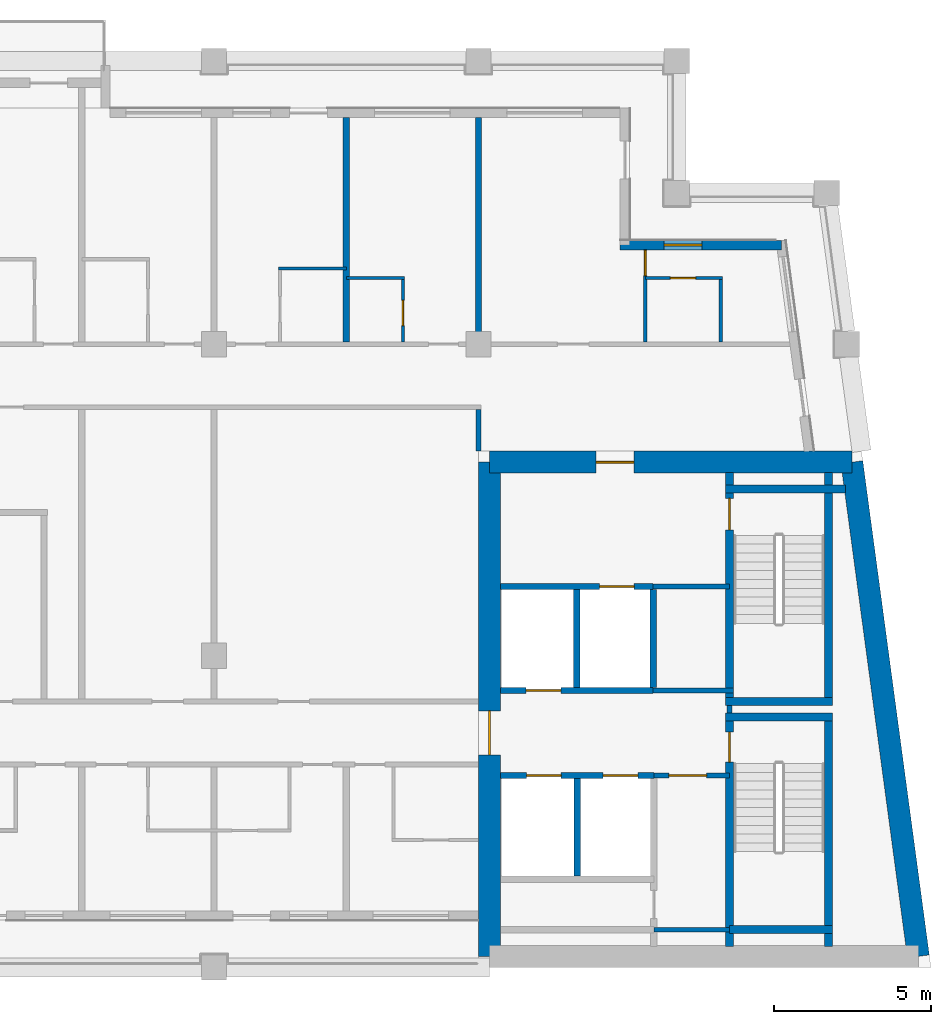
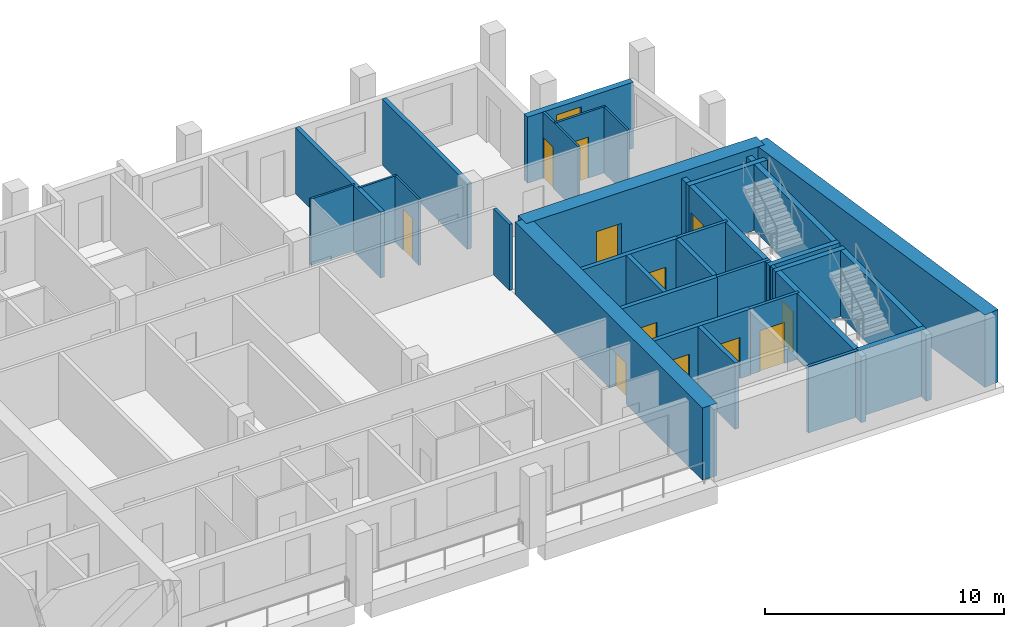
# One storey, part 5 of 9: 32 walls, 12 doors, 1 window, 13 openings.
"""IFC4 building model written with IfcOpenShell, lengths in metres."""

from ifc_helpers import new_model, si_unit, direction, frame, frame_2d, origin, place, context, subcontext, project, spatial, rectangle, extrude, material, layer, layer_set, type_object, element, fill, save


model = new_model("IFC4")

# Units and contexts
model_context = context("Model", 3, precision=1e-05, world=origin(), true_north=direction((0.0, 1.0)))
body_context = subcontext(model_context, "Body", "Model", "MODEL_VIEW")
ifc_project = project(units=[si_unit("LENGTHUNIT", "METRE"), si_unit("AREAUNIT", "SQUARE_METRE"), si_unit("VOLUMEUNIT", "CUBIC_METRE"), si_unit("PLANEANGLEUNIT", "RADIAN"), si_unit("MASSUNIT", "GRAM", prefix="KILO")], contexts=[model_context])

# Site, building, storey
site_placement = place(None, origin())
site = spatial("IfcSite", under=ifc_project, at=site_placement, CompositionType="ELEMENT")
building_placement = place(site_placement, origin())
building = spatial("IfcBuilding", under=site, at=building_placement, Name="Candeia Pilgrim Tower and Theatre", CompositionType="ELEMENT")
storey_placement = place(building_placement, frame((0.0, 0.0, 296.0)))
storey = spatial("IfcBuildingStorey", under=building, at=storey_placement, Name="L72", CompositionType="ELEMENT", Elevation=296.0)

# Wall, opening, door
ifc_material_1 = material(Name="Concrete C40/50", Category="concrete")
ifc_layer_1 = layer(ifc_material_1, 0.699951171875)
ifc_layer_set_1 = layer_set([ifc_layer_1], Name="Core wall 700 C40/50")
wall_type_1 = type_object("IfcWallType", Name="Core wall 700 C40/50", PredefinedType="SHEAR", material=ifc_layer_set_1)
wall_1_placement = place(storey_placement, frame((126.35009765625, 132.050048828125, 0.0), z_axis=(0.0, 0.0, 1.0), x_axis=(1.0, 0.0, 0.0)))
wall_1 = element("IfcWall", 1, at=wall_1_placement, inside=storey, type_object=wall_type_1, Name="Core wall E1", PredefinedType="SHEAR", context=body_context, shape_type="SweptSolid", body=[
    extrude(rectangle(XDim=11.51318359375, YDim=0.699951171875, at=frame_2d((5.756591796875, 0.0))), origin(), (0.0, 0.0, 1.0), 3.699951171875),
])
opening_1_placement = place(wall_1_placement, frame((3.386474609375, 0.0, 0.0)))
opening_1 = element("IfcOpeningElement", 2, at=opening_1_placement, cuts=wall_1, Name="Opening L72-D046", PredefinedType="OPENING", context=body_context, shape_type="SweptSolid", body=[
    extrude(rectangle(XDim=1.199951171875, YDim=2.10009765625, at=frame_2d((0.60009765625, 1.050048828125))), frame((0.0, 0.35986328125, 0.0), z_axis=(0.0, -1.0, 0.0), x_axis=(1.0, 0.0, 0.0)), (0.0, 0.0, 1.0), 0.719970703125),
])
ifc_material_2 = material(Name="Steel fire door set", Category="steel")
door_type_1 = type_object("IfcDoorType", Name="D-1200-FD60", OperationType="NOTDEFINED", PredefinedType="DOOR", material=ifc_material_2)
door_1_placement = place(opening_1_placement, origin())
door_1 = element("IfcDoor", 3, at=door_1_placement, inside=storey, type_object=door_type_1, Name="Door L72-D046", OperationType="SINGLE_SWING_RIGHT", OverallHeight=2.10009765625, OverallWidth=1.199951171875, PredefinedType="DOOR", context=body_context, shape_type="SweptSolid", body=[
    extrude(rectangle(XDim=1.199951171875, YDim=2.10009765625, at=frame_2d((0.60009765625, 1.050048828125))), frame((0.0, 0.02490234375, 0.0), z_axis=(0.0, -1.0, 0.0), x_axis=(1.0, 0.0, 0.0)), (0.0, 0.0, 1.0), 0.050048828125),
])
fill(opening_1, door_1)

# Wall
wall_2_placement = place(storey_placement, frame((137.86328125, 132.050048828125, 0.0), z_axis=(0.0, 0.0, 1.0), x_axis=(0.133401241494, -0.991062111458, 0.0)))
element("IfcWall", 4, at=wall_2_placement, inside=storey, type_object=wall_type_1, Name="Core wall E2", PredefinedType="SHEAR", context=body_context, shape_type="SweptSolid", body=[
    extrude(rectangle(XDim=15.841552734375, YDim=0.699951171875, at=frame_2d((7.9208984375, 0.0))), origin(), (0.0, 0.0, 1.0), 3.699951171875),
])

# Wall, opening, door
wall_3_placement = place(storey_placement, frame((126.35009765625, 116.35009765625, 0.0), z_axis=(0.0, 0.0, 1.0), x_axis=(0.0, 1.0, 0.0)))
wall_3 = element("IfcWall", 5, at=wall_3_placement, inside=storey, type_object=wall_type_1, Name="Core wall E4", PredefinedType="SHEAR", context=body_context, shape_type="SweptSolid", body=[
    extrude(rectangle(XDim=15.699951171875, YDim=0.699951171875, at=frame_2d((7.85009765625, 0.0))), origin(), (0.0, 0.0, 1.0), 3.699951171875),
])
opening_2_placement = place(wall_3_placement, frame((6.39990234375, 0.0, 0.0)))
opening_2 = element("IfcOpeningElement", 6, at=opening_2_placement, cuts=wall_3, Name="Opening L72-D047", PredefinedType="OPENING", context=body_context, shape_type="SweptSolid", body=[
    extrude(rectangle(XDim=1.39990234375, YDim=2.10009765625, at=frame_2d((0.699951171875, 1.050048828125))), frame((0.0, 0.35986328125, 0.0), z_axis=(0.0, -1.0, 0.0), x_axis=(1.0, 0.0, 0.0)), (0.0, 0.0, 1.0), 0.719970703125),
])
door_type_2 = type_object("IfcDoorType", Name="D-1400-FD60", OperationType="NOTDEFINED", PredefinedType="DOOR", material=ifc_material_2)
door_2_placement = place(opening_2_placement, origin())
door_2 = element("IfcDoor", 7, at=door_2_placement, inside=storey, type_object=door_type_2, Name="Door L72-D047", OperationType="SINGLE_SWING_LEFT", OverallHeight=2.10009765625, OverallWidth=1.39990234375, PredefinedType="DOOR", context=body_context, shape_type="SweptSolid", body=[
    extrude(rectangle(XDim=1.39990234375, YDim=2.10009765625, at=frame_2d((0.699951171875, 1.050048828125))), frame((0.0, 0.02490234375, 0.0), z_axis=(0.0, -1.0, 0.0), x_axis=(1.0, 0.0, 0.0)), (0.0, 0.0, 1.0), 0.050048828125),
])
fill(opening_2, door_2)

# Wall, opening, window
ifc_material_3 = material(Name="Ceramic block masonry", Category="masonry")
ifc_layer_2 = layer(ifc_material_3, 0.300048828125)
ifc_layer_set_2 = layer_set([ifc_layer_2], Name="EW1 glazing-line wall 300")
wall_type_2 = type_object("IfcWallType", Name="EW1 glazing-line wall 300", PredefinedType="SOLIDWALL", material=ifc_layer_set_2)
wall_4_placement = place(storey_placement, frame((135.62255859375, 138.949951171875, 0.0), z_axis=(0.0, 0.0, 1.0), x_axis=(-1.0, 0.0, 0.0)))
wall_4 = element("IfcWall", 8, at=wall_4_placement, inside=storey, type_object=wall_type_2, Name="External wall L72-3.0", PredefinedType="SOLIDWALL", context=body_context, shape_type="SweptSolid", body=[
    extrude(rectangle(XDim=5.12255859375, YDim=0.300048828125, at=frame_2d((2.561279296875, 0.0))), origin(), (0.0, 0.0, 1.0), 3.3798828125),
])
opening_3_placement = place(wall_4_placement, frame((2.522705078125, 0.0, 0.89990234375)))
opening_3 = element("IfcOpeningElement", 9, at=opening_3_placement, cuts=wall_4, Name="Opening W-B", PredefinedType="OPENING", context=body_context, shape_type="SweptSolid", body=[
    extrude(rectangle(XDim=1.199951171875, YDim=2.10009765625, at=frame_2d((0.60009765625, 1.050048828125))), frame((0.0, 0.16015625, 0.0), z_axis=(0.0, -1.0, 0.0), x_axis=(1.0, 0.0, 0.0)), (0.0, 0.0, 1.0), 0.320068359375),
])
ifc_material_4 = material(Name="Aluminium framed double glazing", Category="aluminium")
window_type = type_object("IfcWindowType", Name="W-B window 1200x2100", PartitioningType="SINGLE_PANEL", PredefinedType="WINDOW", material=ifc_material_4)
window_placement = place(opening_3_placement, origin())
window = element("IfcWindow", 10, at=window_placement, inside=storey, type_object=window_type, Name="Window W-B L72", OverallHeight=2.10009765625, OverallWidth=1.199951171875, PartitioningType="SINGLE_PANEL", PredefinedType="WINDOW", context=body_context, shape_type="SweptSolid", body=[
    extrude(rectangle(XDim=1.199951171875, YDim=2.10009765625, at=frame_2d((0.60009765625, 1.050048828125))), frame((0.0, 0.030029296875, 0.0), z_axis=(0.0, -1.0, 0.0), x_axis=(1.0, 0.0, 0.0)), (0.0, 0.0, 1.0), 0.06005859375),
])
fill(opening_3, window)

# Wall
ifc_material_5 = material(Name="Gypsum board partition on steel studs", Category="steel")
ifc_layer_3 = layer(ifc_material_5, 0.10009765625)
ifc_layer_set_3 = layer_set([ifc_layer_3], Name="PW-100 room partition")
wall_type_3 = type_object("IfcWallType", Name="PW-100 room partition", PredefinedType="PARTITIONING", material=ifc_layer_set_3)
wall_5_placement = place(storey_placement, frame((121.800048828125, 137.89990234375, 0.0), z_axis=(0.0, 0.0, 1.0), x_axis=(1.0, 0.0, 0.0)))
element("IfcWall", 11, at=wall_5_placement, inside=storey, type_object=wall_type_3, Name="Room partition L72-033", PredefinedType="PARTITIONING", context=body_context, shape_type="SweptSolid", body=[
    extrude(rectangle(XDim=1.849853515625, YDim=0.10009765625, at=frame_2d((0.9248046875, 0.0))), origin(), (0.0, 0.0, 1.0), 3.3798828125),
])

# Wall, opening, door
wall_6_placement = place(storey_placement, frame((131.300048828125, 137.89990234375, 0.0), z_axis=(0.0, 0.0, 1.0), x_axis=(1.0, 0.0, 0.0)))
wall_6 = element("IfcWall", 12, at=wall_6_placement, inside=storey, type_object=wall_type_3, Name="Room partition L72-034", PredefinedType="PARTITIONING", context=body_context, shape_type="SweptSolid", body=[
    extrude(rectangle(XDim=2.449951171875, YDim=0.10009765625, at=frame_2d((1.22509765625, 0.0))), origin(), (0.0, 0.0, 1.0), 3.3798828125),
])
opening_4_placement = place(wall_6_placement, frame((0.800048828125, 0.0, 0.0)))
opening_4 = element("IfcOpeningElement", 13, at=opening_4_placement, cuts=wall_6, Name="Opening L72-D037", PredefinedType="OPENING", context=body_context, shape_type="SweptSolid", body=[
    extrude(rectangle(XDim=0.800048828125, YDim=2.10009765625, at=frame_2d((0.39990234375, 1.050048828125))), frame((0.0, 0.06005859375, 0.0), z_axis=(0.0, -1.0, 0.0), x_axis=(1.0, 0.0, 0.0)), (0.0, 0.0, 1.0), 0.1201171875),
])
ifc_material_6 = material(Name="Timber door leaf", Category="wood")
door_type_3 = type_object("IfcDoorType", Name="D-800", OperationType="NOTDEFINED", PredefinedType="DOOR", material=ifc_material_6)
door_3_placement = place(opening_4_placement, origin())
door_3 = element("IfcDoor", 14, at=door_3_placement, inside=storey, type_object=door_type_3, Name="Door L72-D037", OperationType="SINGLE_SWING_LEFT", OverallHeight=2.10009765625, OverallWidth=0.800048828125, PredefinedType="DOOR", context=body_context, shape_type="SweptSolid", body=[
    extrude(rectangle(XDim=0.800048828125, YDim=2.10009765625, at=frame_2d((0.39990234375, 1.050048828125))), frame((0.0, 0.02490234375, 0.0), z_axis=(0.0, -1.0, 0.0), x_axis=(1.0, 0.0, 0.0)), (0.0, 0.0, 1.0), 0.050048828125),
])
fill(opening_4, door_3)

# Wall
wall_7_placement = place(storey_placement, frame((119.64990234375, 138.199951171875, 0.0), z_axis=(0.0, 0.0, 1.0), x_axis=(1.0, 0.0, 0.0)))
element("IfcWall", 15, at=wall_7_placement, inside=storey, type_object=wall_type_3, Name="Room partition L72-037", PredefinedType="PARTITIONING", context=body_context, shape_type="SweptSolid", body=[
    extrude(rectangle(XDim=2.150146484375, YDim=0.10009765625, at=frame_2d((1.0751953125, 0.0))), origin(), (0.0, 0.0, 1.0), 3.3798828125),
])

# Wall, opening, door
wall_8_placement = place(storey_placement, frame((123.60009765625, 135.875, 0.0), z_axis=(0.0, 0.0, 1.0), x_axis=(0.0, 1.0, 0.0)))
wall_8 = element("IfcWall", 16, at=wall_8_placement, inside=storey, type_object=wall_type_3, Name="Room partition L72-078", PredefinedType="PARTITIONING", context=body_context, shape_type="SweptSolid", body=[
    extrude(rectangle(XDim=1.97509765625, YDim=0.10009765625, at=frame_2d((0.987548828125, 0.0))), origin(), (0.0, 0.0, 1.0), 3.3798828125),
])
opening_5_placement = place(wall_8_placement, frame((0.514892578125, 0.0, 0.0)))
opening_5 = element("IfcOpeningElement", 17, at=opening_5_placement, cuts=wall_8, Name="Opening L72-D034", PredefinedType="OPENING", context=body_context, shape_type="SweptSolid", body=[
    extrude(rectangle(XDim=0.800048828125, YDim=2.10009765625, at=frame_2d((0.39990234375, 1.050048828125))), frame((0.0, 0.06005859375, 0.0), z_axis=(0.0, -1.0, 0.0), x_axis=(1.0, 0.0, 0.0)), (0.0, 0.0, 1.0), 0.1201171875),
])
door_4_placement = place(opening_5_placement, origin())
door_4 = element("IfcDoor", 18, at=door_4_placement, inside=storey, type_object=door_type_3, Name="Door L72-D034", OperationType="SINGLE_SWING_RIGHT", OverallHeight=2.10009765625, OverallWidth=0.800048828125, PredefinedType="DOOR", context=body_context, shape_type="SweptSolid", body=[
    extrude(rectangle(XDim=0.800048828125, YDim=2.10009765625, at=frame_2d((0.39990234375, 1.050048828125))), frame((0.0, 0.02490234375, 0.0), z_axis=(0.0, -1.0, 0.0), x_axis=(1.0, 0.0, 0.0)), (0.0, 0.0, 1.0), 0.050048828125),
])
fill(opening_5, door_4)

wall_9_placement = place(storey_placement, frame((131.300048828125, 135.875, 0.0), z_axis=(0.0, 0.0, 1.0), x_axis=(0.0, 1.0, 0.0)))
wall_9 = element("IfcWall", 19, at=wall_9_placement, inside=storey, type_object=wall_type_3, Name="Room partition L72-083", PredefinedType="PARTITIONING", context=body_context, shape_type="SweptSolid", body=[
    extrude(rectangle(XDim=2.93505859375, YDim=0.10009765625, at=frame_2d((1.467529296875, 0.0))), origin(), (0.0, 0.0, 1.0), 3.3798828125),
])
opening_6_placement = place(wall_9_placement, frame((2.10498046875, 0.0, 0.0)))
opening_6 = element("IfcOpeningElement", 20, at=opening_6_placement, cuts=wall_9, Name="Opening L72-D036", PredefinedType="OPENING", context=body_context, shape_type="SweptSolid", body=[
    extrude(rectangle(XDim=0.800048828125, YDim=2.10009765625, at=frame_2d((0.39990234375, 1.050048828125))), frame((0.0, 0.06005859375, 0.0), z_axis=(0.0, -1.0, 0.0), x_axis=(1.0, 0.0, 0.0)), (0.0, 0.0, 1.0), 0.1201171875),
])
door_5_placement = place(opening_6_placement, origin())
door_5 = element("IfcDoor", 21, at=door_5_placement, inside=storey, type_object=door_type_3, Name="Door L72-D036", OperationType="SINGLE_SWING_RIGHT", OverallHeight=2.10009765625, OverallWidth=0.800048828125, PredefinedType="DOOR", context=body_context, shape_type="SweptSolid", body=[
    extrude(rectangle(XDim=0.800048828125, YDim=2.10009765625, at=frame_2d((0.39990234375, 1.050048828125))), frame((0.0, 0.02490234375, 0.0), z_axis=(0.0, -1.0, 0.0), x_axis=(1.0, 0.0, 0.0)), (0.0, 0.0, 1.0), 0.050048828125),
])
fill(opening_6, door_5)

# Walls
wall_10_placement = place(storey_placement, frame((133.699951171875, 135.875, 0.0), z_axis=(0.0, 0.0, 1.0), x_axis=(0.0, 1.0, 0.0)))
element("IfcWall", 22, at=wall_10_placement, inside=storey, type_object=wall_type_3, Name="Room partition L72-086", PredefinedType="PARTITIONING", context=body_context, shape_type="SweptSolid", body=[
    extrude(rectangle(XDim=1.97509765625, YDim=0.10009765625, at=frame_2d((0.987548828125, 0.0))), origin(), (0.0, 0.0, 1.0), 3.3798828125),
])
ifc_layer_4 = layer(ifc_material_5, 0.14990234375)
ifc_layer_set_4 = layer_set([ifc_layer_4], Name="PW-150 lobby wall")
wall_type_4 = type_object("IfcWallType", Name="PW-150 lobby wall", PredefinedType="PARTITIONING", material=ifc_layer_set_4)
wall_11_placement = place(storey_placement, frame((131.572998046875, 117.199951171875, 0.0), z_axis=(0.0, 0.0, 1.0), x_axis=(1.0, 0.0, 0.0)))
element("IfcWall", 23, at=wall_11_placement, inside=storey, type_object=wall_type_4, Name="Lobby wall L72-004", PredefinedType="PARTITIONING", context=body_context, shape_type="SweptSolid", body=[
    extrude(rectangle(XDim=2.39990234375, YDim=0.14990234375, at=frame_2d((1.199951171875, 0.0))), origin(), (0.0, 0.0, 1.0), 3.3798828125),
])

# Wall, opening, door
wall_12_placement = place(storey_placement, frame((131.572998046875, 122.10009765625, 0.0), z_axis=(0.0, 0.0, 1.0), x_axis=(1.0, 0.0, 0.0)))
wall_12 = element("IfcWall", 24, at=wall_12_placement, inside=storey, type_object=wall_type_4, Name="Lobby wall L72-015", PredefinedType="PARTITIONING", context=body_context, shape_type="SweptSolid", body=[
    extrude(rectangle(XDim=2.39990234375, YDim=0.14990234375, at=frame_2d((1.199951171875, 0.0))), origin(), (0.0, 0.0, 1.0), 3.3798828125),
])
opening_7_placement = place(wall_12_placement, frame((0.47509765625, 0.0, 0.0)))
opening_7 = element("IfcOpeningElement", 25, at=opening_7_placement, cuts=wall_12, Name="Opening L72-D005", PredefinedType="OPENING", context=body_context, shape_type="SweptSolid", body=[
    extrude(rectangle(XDim=1.199951171875, YDim=2.10009765625, at=frame_2d((0.60009765625, 1.050048828125))), frame((0.0, 0.0849609375, 0.0), z_axis=(0.0, -1.0, 0.0), x_axis=(1.0, 0.0, 0.0)), (0.0, 0.0, 1.0), 0.169921875),
])
door_6_placement = place(opening_7_placement, origin())
door_6 = element("IfcDoor", 26, at=door_6_placement, inside=storey, type_object=door_type_1, Name="Door L72-D005", OperationType="SINGLE_SWING_LEFT", OverallHeight=2.10009765625, OverallWidth=1.199951171875, PredefinedType="DOOR", context=body_context, shape_type="SweptSolid", body=[
    extrude(rectangle(XDim=1.199951171875, YDim=2.10009765625, at=frame_2d((0.60009765625, 1.050048828125))), frame((0.0, 0.02490234375, 0.0), z_axis=(0.0, -1.0, 0.0), x_axis=(1.0, 0.0, 0.0)), (0.0, 0.0, 1.0), 0.050048828125),
])
fill(opening_7, door_6)

# Walls
wall_13_placement = place(storey_placement, frame((131.548583984375, 124.800048828125, 0.0), z_axis=(0.0, 0.0, 1.0), x_axis=(1.0, 0.0, 0.0)))
element("IfcWall", 27, at=wall_13_placement, inside=storey, type_object=wall_type_4, Name="Lobby wall L72-024", PredefinedType="PARTITIONING", context=body_context, shape_type="SweptSolid", body=[
    extrude(rectangle(XDim=2.54931640625, YDim=0.14990234375, at=frame_2d((1.274658203125, 0.0))), origin(), (0.0, 0.0, 1.0), 3.3798828125),
])
wall_14_placement = place(storey_placement, frame((131.548583984375, 128.10009765625, 0.0), z_axis=(0.0, 0.0, 1.0), x_axis=(1.0, 0.0, 0.0)))
element("IfcWall", 28, at=wall_14_placement, inside=storey, type_object=wall_type_4, Name="Lobby wall L72-027", PredefinedType="PARTITIONING", context=body_context, shape_type="SweptSolid", body=[
    extrude(rectangle(XDim=2.42431640625, YDim=0.14990234375, at=frame_2d((1.212158203125, 0.0))), origin(), (0.0, 0.0, 1.0), 3.3798828125),
])
wall_15_placement = place(storey_placement, frame((133.972900390625, 124.074951171875, 0.0), z_axis=(0.0, 0.0, 1.0), x_axis=(0.0, 1.0, 0.0)))
element("IfcWall", 29, at=wall_15_placement, inside=storey, type_object=wall_type_4, Name="Lobby wall L72-087", PredefinedType="PARTITIONING", context=body_context, shape_type="SweptSolid", body=[
    extrude(rectangle(XDim=0.25, YDim=0.14990234375, at=frame_2d((0.125, 0.0))), origin(), (0.0, 0.0, 1.0), 3.3798828125),
])
ifc_layer_5 = layer(ifc_material_5, 0.14990234375)
ifc_layer_set_5 = layer_set([ifc_layer_5], Name="PW-150 unit wall")
wall_type_5 = type_object("IfcWallType", Name="PW-150 unit wall", PredefinedType="PARTITIONING", material=ifc_layer_set_5)
wall_16_placement = place(storey_placement, frame((126.0, 132.39990234375, 0.0), z_axis=(0.0, 0.0, 1.0), x_axis=(0.0, 1.0, 0.0)))
element("IfcWall", 30, at=wall_16_placement, inside=storey, type_object=wall_type_5, Name="Unit wall L72-080", PredefinedType="PARTITIONING", context=body_context, shape_type="SweptSolid", body=[
    extrude(rectangle(XDim=1.3251953125, YDim=0.14990234375, at=frame_2d((0.66259765625, 0.0))), origin(), (0.0, 0.0, 1.0), 3.3798828125),
])
ifc_layer_6 = layer(ifc_material_5, 0.199951171875)
ifc_layer_set_6 = layer_set([ifc_layer_6], Name="PW-200 party wall")
wall_type_6 = type_object("IfcWallType", Name="PW-200 party wall", PredefinedType="PARTITIONING", material=ifc_layer_set_6)
for number, where, z_axis, x_axis, name in (
    (31, (121.800048828125, 135.875, 0.0), (0.0, 0.0, 1.0), (0.0, 1.0, 0.0), "Party wall L72-076"),
    (32, (126.0, 135.875, 0.0), (0.0, 0.0, 1.0), (0.0, 1.0, 0.0), "Party wall L72-079"),
):
    element("IfcWall", number, at=place(storey_placement, frame(where, z_axis=z_axis, x_axis=x_axis)), inside=storey, type_object=wall_type_6, Name=name, PredefinedType="PARTITIONING", context=body_context, shape_type="SweptSolid", body=[
        extrude(rectangle(XDim=7.135009765625, YDim=0.199951171875, at=frame_2d((3.5673828125, 0.0))), origin(), (0.0, 0.0, 1.0), 3.3798828125),
    ])

# Wall, openings, doors
ifc_layer_7 = layer(ifc_material_1, 0.199951171875)
ifc_layer_set_7 = layer_set([ifc_layer_7], Name="SW-200 shaft wall")
wall_type_7 = type_object("IfcWallType", Name="SW-200 shaft wall", PredefinedType="PARTITIONING", material=ifc_layer_set_7)
wall_17_placement = place(storey_placement, frame((126.699951171875, 122.10009765625, 0.0), z_axis=(0.0, 0.0, 1.0), x_axis=(1.0, 0.0, 0.0)))
wall_17 = element("IfcWall", 33, at=wall_17_placement, inside=storey, type_object=wall_type_7, Name="Shaft wall L72-013", PredefinedType="PARTITIONING", context=body_context, shape_type="SweptSolid", body=[
    extrude(rectangle(XDim=4.873046875, YDim=0.199951171875, at=frame_2d((2.4365234375, 0.0))), origin(), (0.0, 0.0, 1.0), 3.3798828125),
])
opening_8_placement = place(wall_17_placement, frame((3.263916015625, 0.0, 0.0)))
opening_8 = element("IfcOpeningElement", 34, at=opening_8_placement, cuts=wall_17, Name="Opening L72-LD05", PredefinedType="OPENING", context=body_context, shape_type="SweptSolid", body=[
    extrude(rectangle(XDim=1.10009765625, YDim=2.10009765625, at=frame_2d((0.550048828125, 1.050048828125))), frame((0.0, 0.10986328125, 0.0), z_axis=(0.0, -1.0, 0.0), x_axis=(1.0, 0.0, 0.0)), (0.0, 0.0, 1.0), 0.219970703125),
])
opening_9_placement = place(wall_17_placement, frame((0.826904296875, 0.0, 0.0)))
opening_9 = element("IfcOpeningElement", 35, at=opening_9_placement, cuts=wall_17, Name="Opening L72-LD06", PredefinedType="OPENING", context=body_context, shape_type="SweptSolid", body=[
    extrude(rectangle(XDim=1.10009765625, YDim=2.10009765625, at=frame_2d((0.550048828125, 1.050048828125))), frame((0.0, 0.10986328125, 0.0), z_axis=(0.0, -1.0, 0.0), x_axis=(1.0, 0.0, 0.0)), (0.0, 0.0, 1.0), 0.219970703125),
])
ifc_material_7 = material(Name="Glazed aluminium landing door", Category="aluminium")
door_type_4 = type_object("IfcDoorType", Name="LD-1100-EI120", OperationType="SLIDING_TO_LEFT", PredefinedType="DOOR", material=ifc_material_7)
door_7_placement = place(opening_8_placement, origin())
door_7 = element("IfcDoor", 36, at=door_7_placement, inside=storey, type_object=door_type_4, Name="Landing door 05 L72", OperationType="SLIDING_TO_LEFT", OverallHeight=2.10009765625, OverallWidth=1.10009765625, PredefinedType="DOOR", context=body_context, shape_type="SweptSolid", body=[
    extrude(rectangle(XDim=1.10009765625, YDim=2.10009765625, at=frame_2d((0.550048828125, 1.050048828125))), frame((0.0, 0.02490234375, 0.0), z_axis=(0.0, -1.0, 0.0), x_axis=(1.0, 0.0, 0.0)), (0.0, 0.0, 1.0), 0.050048828125),
])
fill(opening_8, door_7)
door_8_placement = place(opening_9_placement, origin())
door_8 = element("IfcDoor", 37, at=door_8_placement, inside=storey, type_object=door_type_4, Name="Landing door 06 L72", OperationType="SLIDING_TO_LEFT", OverallHeight=2.10009765625, OverallWidth=1.10009765625, PredefinedType="DOOR", context=body_context, shape_type="SweptSolid", body=[
    extrude(rectangle(XDim=1.10009765625, YDim=2.10009765625, at=frame_2d((0.550048828125, 1.050048828125))), frame((0.0, 0.02490234375, 0.0), z_axis=(0.0, -1.0, 0.0), x_axis=(1.0, 0.0, 0.0)), (0.0, 0.0, 1.0), 0.050048828125),
])
fill(opening_9, door_8)

# Wall, opening, door
wall_18_placement = place(storey_placement, frame((126.699951171875, 124.800048828125, 0.0), z_axis=(0.0, 0.0, 1.0), x_axis=(1.0, 0.0, 0.0)))
wall_18 = element("IfcWall", 38, at=wall_18_placement, inside=storey, type_object=wall_type_7, Name="Shaft wall L72-023", PredefinedType="PARTITIONING", context=body_context, shape_type="SweptSolid", body=[
    extrude(rectangle(XDim=4.8486328125, YDim=0.199951171875, at=frame_2d((2.42431640625, 0.0))), origin(), (0.0, 0.0, 1.0), 3.3798828125),
])
opening_10_placement = place(wall_18_placement, frame((0.818115234375, 0.0, 0.0)))
opening_10 = element("IfcOpeningElement", 39, at=opening_10_placement, cuts=wall_18, Name="Opening L72-LD08", PredefinedType="OPENING", context=body_context, shape_type="SweptSolid", body=[
    extrude(rectangle(XDim=1.10009765625, YDim=2.10009765625, at=frame_2d((0.550048828125, 1.050048828125))), frame((0.0, 0.10986328125, 0.0), z_axis=(0.0, -1.0, 0.0), x_axis=(1.0, 0.0, 0.0)), (0.0, 0.0, 1.0), 0.219970703125),
])
door_9_placement = place(opening_10_placement, origin())
door_9 = element("IfcDoor", 40, at=door_9_placement, inside=storey, type_object=door_type_4, Name="Landing door 08 L72", OperationType="SLIDING_TO_LEFT", OverallHeight=2.10009765625, OverallWidth=1.10009765625, PredefinedType="DOOR", context=body_context, shape_type="SweptSolid", body=[
    extrude(rectangle(XDim=1.10009765625, YDim=2.10009765625, at=frame_2d((0.550048828125, 1.050048828125))), frame((0.0, 0.02490234375, 0.0), z_axis=(0.0, -1.0, 0.0), x_axis=(1.0, 0.0, 0.0)), (0.0, 0.0, 1.0), 0.050048828125),
])
fill(opening_10, door_9)

wall_19_placement = place(storey_placement, frame((126.699951171875, 128.10009765625, 0.0), z_axis=(0.0, 0.0, 1.0), x_axis=(1.0, 0.0, 0.0)))
wall_19 = element("IfcWall", 41, at=wall_19_placement, inside=storey, type_object=wall_type_7, Name="Shaft wall L72-026", PredefinedType="PARTITIONING", context=body_context, shape_type="SweptSolid", body=[
    extrude(rectangle(XDim=4.8486328125, YDim=0.199951171875, at=frame_2d((2.42431640625, 0.0))), origin(), (0.0, 0.0, 1.0), 3.3798828125),
])
opening_11_placement = place(wall_19_placement, frame((3.14892578125, 0.0, 0.0)))
opening_11 = element("IfcOpeningElement", 42, at=opening_11_placement, cuts=wall_19, Name="Opening L72-LD07", PredefinedType="OPENING", context=body_context, shape_type="SweptSolid", body=[
    extrude(rectangle(XDim=1.10009765625, YDim=2.10009765625, at=frame_2d((0.550048828125, 1.050048828125))), frame((0.0, 0.10986328125, 0.0), z_axis=(0.0, -1.0, 0.0), x_axis=(1.0, 0.0, 0.0)), (0.0, 0.0, 1.0), 0.219970703125),
])
door_10_placement = place(opening_11_placement, origin())
door_10 = element("IfcDoor", 43, at=door_10_placement, inside=storey, type_object=door_type_4, Name="Landing door 07 L72", OperationType="SLIDING_TO_LEFT", OverallHeight=2.10009765625, OverallWidth=1.10009765625, PredefinedType="DOOR", context=body_context, shape_type="SweptSolid", body=[
    extrude(rectangle(XDim=1.10009765625, YDim=2.10009765625, at=frame_2d((0.550048828125, 1.050048828125))), frame((0.0, 0.02490234375, 0.0), z_axis=(0.0, -1.0, 0.0), x_axis=(1.0, 0.0, 0.0)), (0.0, 0.0, 1.0), 0.050048828125),
])
fill(opening_11, door_10)

# Walls
for number, where, z_axis, x_axis, name in (
    (44, (129.124267578125, 124.89990234375, 0.0), (0.0, 0.0, 1.0), (0.0, 1.0, 0.0), "Shaft wall L72-081"),
    (45, (129.136474609375, 118.89990234375, 0.0), (0.0, 0.0, 1.0), (0.0, 1.0, 0.0), "Shaft wall L72-082"),
    (46, (131.548583984375, 124.89990234375, 0.0), (0.0, 0.0, 1.0), (0.0, 1.0, 0.0), "Shaft wall L72-084"),
):
    element("IfcWall", number, at=place(storey_placement, frame(where, z_axis=z_axis, x_axis=x_axis)), inside=storey, type_object=wall_type_7, Name=name, PredefinedType="PARTITIONING", context=body_context, shape_type="SweptSolid", body=[
        extrude(rectangle(XDim=3.10009765625, YDim=0.199951171875, at=frame_2d((1.550048828125, 0.0))), origin(), (0.0, 0.0, 1.0), 3.3798828125),
    ])
ifc_layer_8 = layer(ifc_material_1, 0.25)
ifc_layer_set_8 = layer_set([ifc_layer_8], Name="SW-250 stair wall")
wall_type_8 = type_object("IfcWallType", Name="SW-250 stair wall", PredefinedType="PARTITIONING", material=ifc_layer_set_8)
wall_20_placement = place(storey_placement, frame((133.972900390625, 117.199951171875, 0.0), z_axis=(0.0, 0.0, 1.0), x_axis=(1.0, 0.0, 0.0)))
element("IfcWall", 47, at=wall_20_placement, inside=storey, type_object=wall_type_8, Name="Stair wall L72-006", PredefinedType="PARTITIONING", context=body_context, shape_type="SweptSolid", body=[
    extrude(rectangle(XDim=3.275146484375, YDim=0.25, at=frame_2d((1.6376953125, 0.0))), origin(), (0.0, 0.0, 1.0), 3.3798828125),
])
for number, where, z_axis, x_axis, name in (
    (48, (133.847900390625, 123.949951171875, 0.0), (0.0, 0.0, 1.0), (1.0, 0.0, 0.0), "Stair wall L72-018"),
    (49, (133.847900390625, 124.449951171875, 0.0), (0.0, 0.0, 1.0), (1.0, 0.0, 0.0), "Stair wall L72-020"),
):
    element("IfcWall", number, at=place(storey_placement, frame(where, z_axis=z_axis, x_axis=x_axis)), inside=storey, type_object=wall_type_8, Name=name, PredefinedType="PARTITIONING", context=body_context, shape_type="SweptSolid", body=[
        extrude(rectangle(XDim=3.400146484375, YDim=0.25, at=frame_2d((1.7001953125, 0.0))), origin(), (0.0, 0.0, 1.0), 3.3798828125),
    ])
wall_21_placement = place(storey_placement, frame((133.847900390625, 131.199951171875, 0.0), z_axis=(0.0, 0.0, 1.0), x_axis=(1.0, 0.0, 0.0)))
element("IfcWall", 50, at=wall_21_placement, inside=storey, type_object=wall_type_8, Name="Stair wall L72-030", PredefinedType="PARTITIONING", context=body_context, shape_type="SweptSolid", body=[
    extrude(rectangle(XDim=3.806640625, YDim=0.25, at=frame_2d((1.9033203125, 0.0))), origin(), (0.0, 0.0, 1.0), 3.3798828125),
])

# Wall, opening, door
wall_22_placement = place(storey_placement, frame((133.972900390625, 116.669921875, 0.0), z_axis=(0.0, 0.0, 1.0), x_axis=(0.0, 1.0, 0.0)))
wall_22 = element("IfcWall", 51, at=wall_22_placement, inside=storey, type_object=wall_type_8, Name="Stair wall L72-088", PredefinedType="PARTITIONING", context=body_context, shape_type="SweptSolid", body=[
    extrude(rectangle(XDim=7.155029296875, YDim=0.25, at=frame_2d((3.57763671875, 0.0))), origin(), (0.0, 0.0, 1.0), 3.3798828125),
])
opening_12_placement = place(wall_22_placement, frame((5.85498046875, 0.0, 0.0)))
opening_12 = element("IfcOpeningElement", 52, at=opening_12_placement, cuts=wall_22, Name="Opening L72-D006", PredefinedType="OPENING", context=body_context, shape_type="SweptSolid", body=[
    extrude(rectangle(XDim=0.949951171875, YDim=2.10009765625, at=frame_2d((0.47509765625, 1.050048828125))), frame((0.0, 0.135009765625, 0.0), z_axis=(0.0, -1.0, 0.0), x_axis=(1.0, 0.0, 0.0)), (0.0, 0.0, 1.0), 0.27001953125),
])
door_type_5 = type_object("IfcDoorType", Name="D-950-FD60", OperationType="NOTDEFINED", PredefinedType="DOOR", material=ifc_material_2)
door_11_placement = place(opening_12_placement, origin())
door_11 = element("IfcDoor", 53, at=door_11_placement, inside=storey, type_object=door_type_5, Name="Door L72-D006", OperationType="SINGLE_SWING_RIGHT", OverallHeight=2.10009765625, OverallWidth=0.949951171875, PredefinedType="DOOR", context=body_context, shape_type="SweptSolid", body=[
    extrude(rectangle(XDim=0.949951171875, YDim=2.10009765625, at=frame_2d((0.47509765625, 1.050048828125))), frame((0.0, 0.02490234375, 0.0), z_axis=(0.0, -1.0, 0.0), x_axis=(1.0, 0.0, 0.0)), (0.0, 0.0, 1.0), 0.050048828125),
])
fill(opening_12, door_11)

wall_23_placement = place(storey_placement, frame((133.972900390625, 124.574951171875, 0.0), z_axis=(0.0, 0.0, 1.0), x_axis=(0.0, 1.0, 0.0)))
wall_23 = element("IfcWall", 54, at=wall_23_placement, inside=storey, type_object=wall_type_8, Name="Stair wall L72-089", PredefinedType="PARTITIONING", context=body_context, shape_type="SweptSolid", body=[
    extrude(rectangle(XDim=7.155029296875, YDim=0.25, at=frame_2d((3.57763671875, 0.0))), origin(), (0.0, 0.0, 1.0), 3.3798828125),
])
opening_13_placement = place(wall_23_placement, frame((5.324951171875, 0.0, 0.0)))
opening_13 = element("IfcOpeningElement", 55, at=opening_13_placement, cuts=wall_23, Name="Opening L72-D007", PredefinedType="OPENING", context=body_context, shape_type="SweptSolid", body=[
    extrude(rectangle(XDim=1.0, YDim=2.10009765625, at=frame_2d((0.5, 1.050048828125))), frame((0.0, 0.135009765625, 0.0), z_axis=(0.0, -1.0, 0.0), x_axis=(1.0, 0.0, 0.0)), (0.0, 0.0, 1.0), 0.27001953125),
])
door_type_6 = type_object("IfcDoorType", Name="D-1000-FD60", OperationType="NOTDEFINED", PredefinedType="DOOR", material=ifc_material_2)
door_12_placement = place(opening_13_placement, origin())
door_12 = element("IfcDoor", 56, at=door_12_placement, inside=storey, type_object=door_type_6, Name="Door L72-D007", OperationType="SINGLE_SWING_LEFT", OverallHeight=2.10009765625, OverallWidth=1.0, PredefinedType="DOOR", context=body_context, shape_type="SweptSolid", body=[
    extrude(rectangle(XDim=1.0, YDim=2.10009765625, at=frame_2d((0.5, 1.050048828125))), frame((0.0, 0.02490234375, 0.0), z_axis=(0.0, -1.0, 0.0), x_axis=(1.0, 0.0, 0.0)), (0.0, 0.0, 1.0), 0.050048828125),
])
fill(opening_13, door_12)

# Walls
for number, where, z_axis, x_axis, name in (
    (57, (137.123046875, 116.669921875, 0.0), (0.0, 0.0, 1.0), (0.0, 1.0, 0.0), "Stair wall L72-090"),
    (58, (137.123046875, 124.574951171875, 0.0), (0.0, 0.0, 1.0), (0.0, 1.0, 0.0), "Stair wall L72-091"),
):
    element("IfcWall", number, at=place(storey_placement, frame(where, z_axis=z_axis, x_axis=x_axis)), inside=storey, type_object=wall_type_8, Name=name, PredefinedType="PARTITIONING", context=body_context, shape_type="SweptSolid", body=[
        extrude(rectangle(XDim=7.155029296875, YDim=0.25, at=frame_2d((3.57763671875, 0.0))), origin(), (0.0, 0.0, 1.0), 3.3798828125),
    ])

save(model, "model.ifc")
